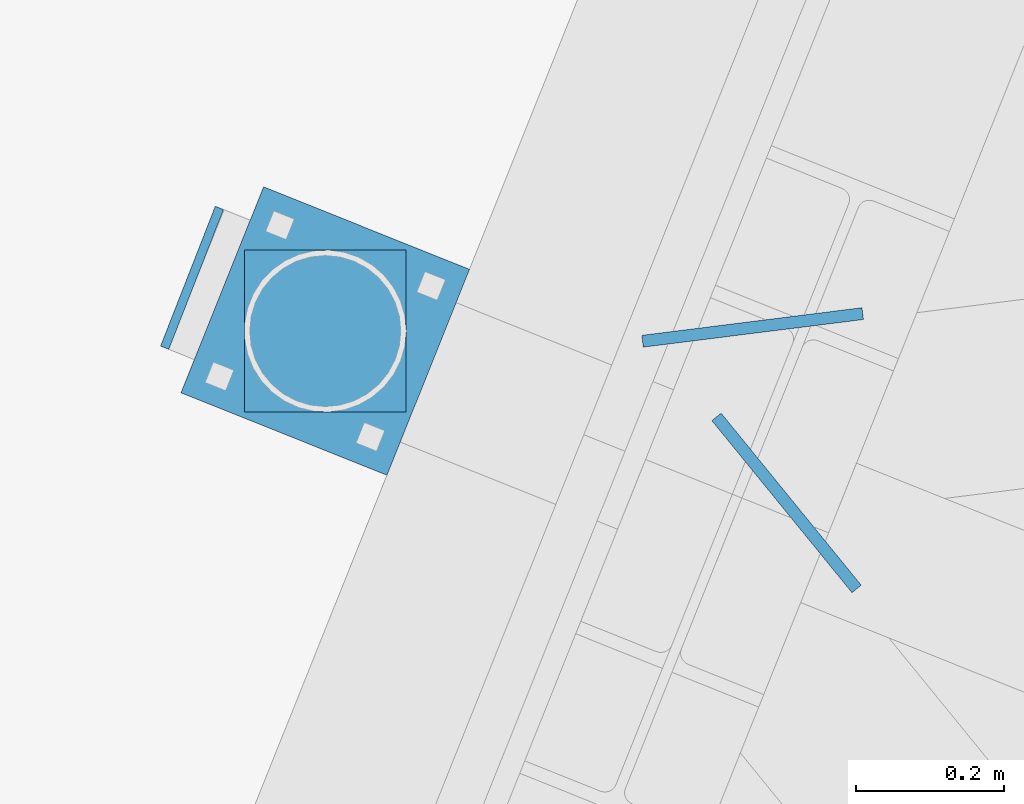
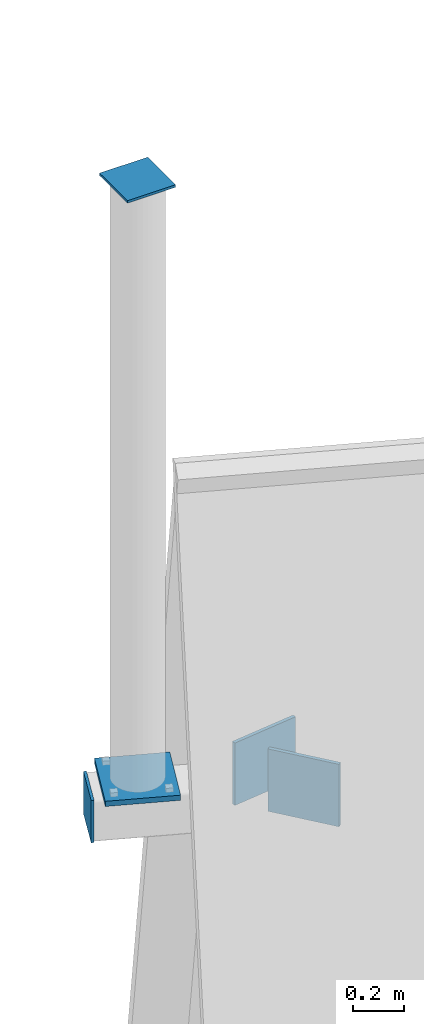
# One storey, part 23 of 32: 5 discrete accessories.
"""IFC4 building model written with IfcOpenShell, lengths in metres."""

from ifc_helpers import new_model, si_unit, direction, frame, origin, origin_2d, place, context, subcontext, project, spatial, rectangle, extrude, element, save


model = new_model("IFC4")

# Units and contexts
model_context = context("Model", 3, precision=1e-05, world=origin(), true_north=direction((0.0, 1.0)))
body_context = subcontext(model_context, "Body", "Model", "MODEL_VIEW")
ifc_project = project(units=[si_unit("LENGTHUNIT", "METRE"), si_unit("AREAUNIT", "SQUARE_METRE"), si_unit("VOLUMEUNIT", "CUBIC_METRE"), si_unit("PLANEANGLEUNIT", "RADIAN"), si_unit("MASSUNIT", "GRAM", prefix="KILO")], contexts=[model_context])

# Site, building, storey
site_placement = place(None, origin())
site = spatial("IfcSite", under=ifc_project, at=site_placement, CompositionType="ELEMENT")
building_placement = place(site_placement, origin())
building = spatial("IfcBuilding", under=site, at=building_placement, Name="Verdalira Terraces Hotel", CompositionType="ELEMENT")
storey_placement = place(building_placement, frame((0.0, 0.0, 315.0)))
storey = spatial("IfcBuildingStorey", under=building, at=storey_placement, Name="L78", CompositionType="ELEMENT", Elevation=315.0)

# Discrete accessories
discrete_accessory_1_placement = place(storey_placement, frame((-31.548584, 12.644043, 19.0), z_axis=(-0.93124278, 0.364399349, 0.0), x_axis=(-0.364399349, -0.93124278, 0.0)))
element("IfcDiscreteAccessory", 1, at=discrete_accessory_1_placement, inside=storey, Name="End cap plate", PredefinedType="ANCHORPLATE", context=body_context, shape_type="SweptSolid", body=[
    extrude(rectangle(XDim=0.203125, YDim=0.203125, at=origin_2d()), origin(), (0.0, 0.0, 1.0), 0.011963),
])
discrete_accessory_2_placement = place(storey_placement, frame((-31.374023, 12.574219, 21.988037), z_axis=(0.0, 0.0, 1.0), x_axis=(1.0, 0.0, 0.0)))
element("IfcDiscreteAccessory", 2, at=discrete_accessory_2_placement, inside=storey, Name="End cap plate", PredefinedType="ANCHORPLATE", context=body_context, shape_type="SweptSolid", body=[
    extrude(rectangle(XDim=0.218994, YDim=0.218994, at=origin_2d()), origin(), (0.0, 0.0, 1.0), 0.011963),
])
discrete_accessory_3_placement = place(storey_placement, frame((-31.374023, 12.574219, 19.101562), z_axis=(0.0, 0.0, 1.0), x_axis=(-0.928226337, 0.37201595, 0.0)))
element("IfcDiscreteAccessory", 3, at=discrete_accessory_3_placement, inside=storey, Name="Mast base plate", PredefinedType="ANCHORPLATE", context=body_context, shape_type="SweptSolid", body=[
    extrude(rectangle(XDim=0.300049, YDim=0.300049, at=origin_2d()), origin(), (0.0, 0.0, 1.0), 0.024902),
])
for number, where, z_axis, x_axis, name in (
    (4, (-30.750244, 12.341797, 18.850098), (0.0, 0.0, 1.0), (0.631574743, -0.775314997, 0.0), "Connection plate"),
    (5, (-30.796143, 12.579102, 18.850098), (0.0, 0.0, 1.0), (0.992215875, 0.124529746, 0.0), "Connection plate"),
):
    element("IfcDiscreteAccessory", number, at=place(storey_placement, frame(where, z_axis=z_axis, x_axis=x_axis)), inside=storey, Name=name, PredefinedType="BRACKET", context=body_context, shape_type="SweptSolid", body=[
        extrude(rectangle(XDim=0.300049, YDim=0.016113, at=origin_2d()), origin(), (0.0, 0.0, 1.0), 0.300049),
    ])

save(model, "model.ifc")
